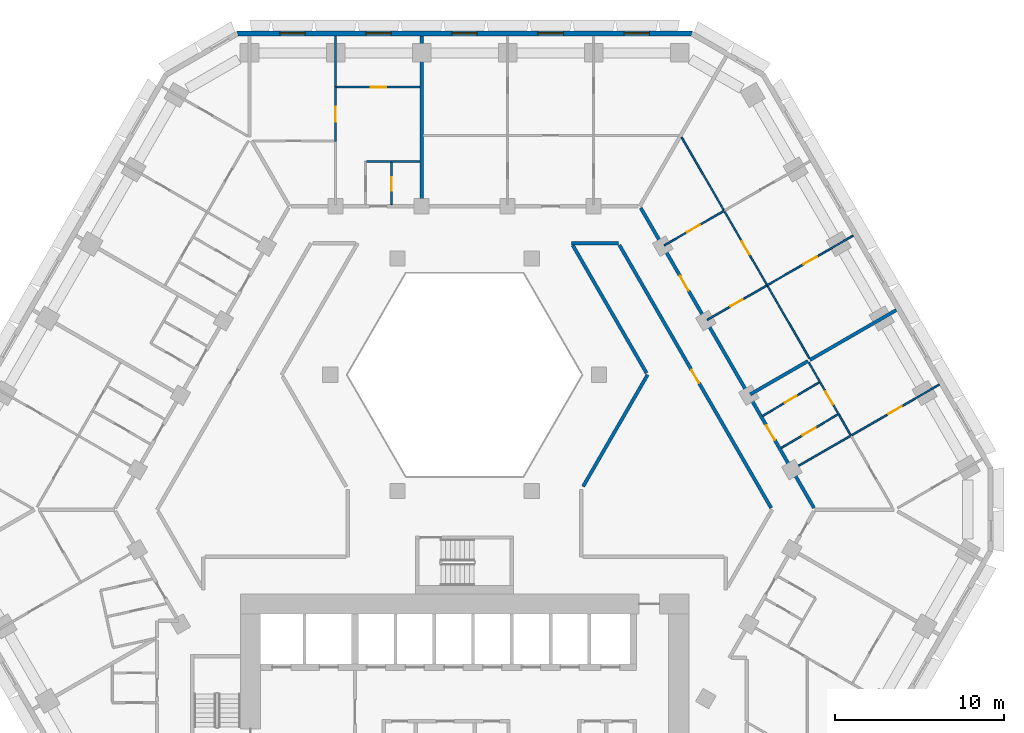
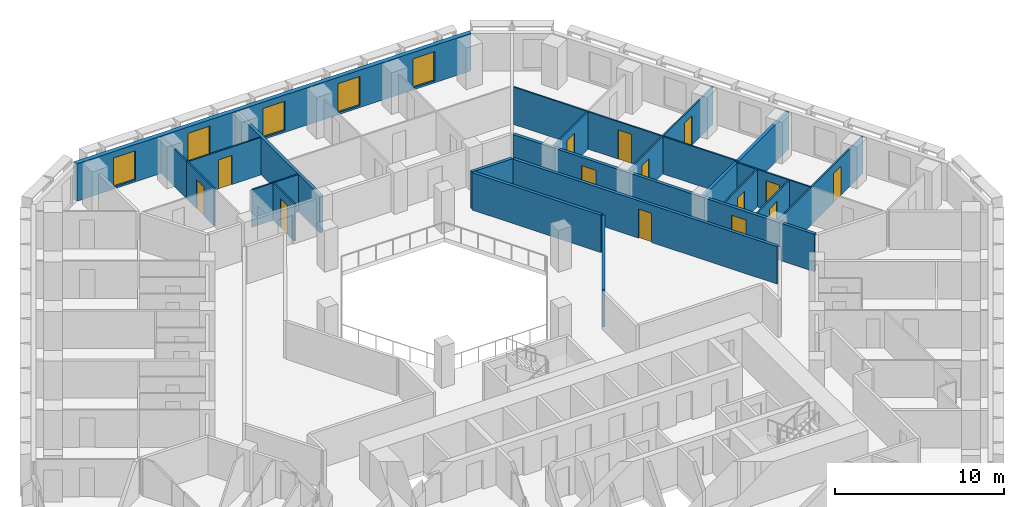
# One storey, part 9 of 16: 22 walls, 14 doors, 5 windows, 19 openings.
"""IFC4 building model written with IfcOpenShell, lengths in metres."""

from ifc_helpers import new_model, si_unit, direction, frame, frame_2d, origin, place, context, subcontext, project, spatial, polyline, rectangle, outline, extrude, material, layer, layer_set, type_object, element, fill, save


model = new_model("IFC4")

# Units and contexts
model_context = context("Model", 3, precision=1e-05, world=origin(), true_north=direction((0.0, 1.0)))
body_context = subcontext(model_context, "Body", "Model", "MODEL_VIEW")
ifc_project = project(units=[si_unit("LENGTHUNIT", "METRE"), si_unit("AREAUNIT", "SQUARE_METRE"), si_unit("VOLUMEUNIT", "CUBIC_METRE"), si_unit("PLANEANGLEUNIT", "RADIAN"), si_unit("MASSUNIT", "GRAM", prefix="KILO")], contexts=[model_context])

# Site, building, storey
site_placement = place(None, origin())
site = spatial("IfcSite", under=ifc_project, at=site_placement, CompositionType="ELEMENT")
building_placement = place(site_placement, origin())
building = spatial("IfcBuilding", under=site, at=building_placement, Name="Beryl Residences", CompositionType="ELEMENT")
storey_placement = place(building_placement, frame((0.0, 0.0, 56.39990234375)))
storey = spatial("IfcBuildingStorey", under=building, at=storey_placement, Name="L17", CompositionType="ELEMENT", Elevation=56.39990234375)

# Wall, openings, windows
ifc_material_1 = material(Name="Composite metal panel with mineral wool insulation")
ifc_layer_1 = layer(ifc_material_1, 0.300048828125)
ifc_layer_set_1 = layer_set([ifc_layer_1], Name="ES1 pale metal composite panel wall 300 mm")
wall_type_1 = type_object("IfcWallType", Name="ES1 pale metal composite panel wall 300 mm", PredefinedType="SOLIDWALL", material=ifc_layer_set_1)
wall_1_placement = place(storey_placement, frame((13.510009765625, 28.25, 0.0), z_axis=(0.0, 0.0, 1.0), x_axis=(-1.0, 0.0, 0.0)))
wall_1 = element("IfcWall", 1, at=wall_1_placement, inside=storey, type_object=wall_type_1, Name="ES1 external wall L17 N", PredefinedType="SOLIDWALL", context=body_context, shape_type="SweptSolid", body=[
    extrude(outline(polyline([(0.0, -0.14990234375), (27.02001953125, -0.14990234375), (26.939697265625, 0.14990234375), (0.080322265625, 0.14990234375), (0.0, -0.14990234375)])), origin(), (0.0, 0.0, 1.0), 2.7001953125),
])
opening_1_placement = place(wall_1_placement, frame((2.552978515625, 0.0, 0.14990234375)))
opening_1 = element("IfcOpeningElement", 2, at=opening_1_placement, cuts=wall_1, Name="Opening W1", PredefinedType="OPENING", context=body_context, shape_type="SweptSolid", body=[
    extrude(rectangle(XDim=1.5, YDim=2.10009765625, at=frame_2d((0.75, 1.050048828125))), frame((0.0, 0.159912109375, 0.0), z_axis=(0.0, -1.0, 0.0), x_axis=(1.0, 0.0, 0.0)), (0.0, 0.0, 1.0), 0.320068359375),
])
opening_2_placement = place(wall_1_placement, frame((7.656982421875, 0.0, 0.14990234375)))
opening_2 = element("IfcOpeningElement", 3, at=opening_2_placement, cuts=wall_1, Name="Opening W1", PredefinedType="OPENING", context=body_context, shape_type="SweptSolid", body=[
    extrude(rectangle(XDim=1.5, YDim=2.10009765625, at=frame_2d((0.75, 1.050048828125))), frame((0.0, 0.159912109375, 0.0), z_axis=(0.0, -1.0, 0.0), x_axis=(1.0, 0.0, 0.0)), (0.0, 0.0, 1.0), 0.320068359375),
])
opening_3_placement = place(wall_1_placement, frame((12.760986328125, 0.0, 0.14990234375)))
opening_3 = element("IfcOpeningElement", 4, at=opening_3_placement, cuts=wall_1, Name="Opening W1", PredefinedType="OPENING", context=body_context, shape_type="SweptSolid", body=[
    extrude(rectangle(XDim=1.5, YDim=2.10009765625, at=frame_2d((0.75, 1.050048828125))), frame((0.0, 0.159912109375, 0.0), z_axis=(0.0, -1.0, 0.0), x_axis=(1.0, 0.0, 0.0)), (0.0, 0.0, 1.0), 0.320068359375),
])
opening_4_placement = place(wall_1_placement, frame((17.864990234375, 0.0, 0.14990234375)))
opening_4 = element("IfcOpeningElement", 5, at=opening_4_placement, cuts=wall_1, Name="Opening W1", PredefinedType="OPENING", context=body_context, shape_type="SweptSolid", body=[
    extrude(rectangle(XDim=1.5, YDim=2.10009765625, at=frame_2d((0.75, 1.050048828125))), frame((0.0, 0.159912109375, 0.0), z_axis=(0.0, -1.0, 0.0), x_axis=(1.0, 0.0, 0.0)), (0.0, 0.0, 1.0), 0.320068359375),
])
opening_5_placement = place(wall_1_placement, frame((22.968994140625, 0.0, 0.14990234375)))
opening_5 = element("IfcOpeningElement", 6, at=opening_5_placement, cuts=wall_1, Name="Opening W1", PredefinedType="OPENING", context=body_context, shape_type="SweptSolid", body=[
    extrude(rectangle(XDim=1.5, YDim=2.10009765625, at=frame_2d((0.75, 1.050048828125))), frame((0.0, 0.159912109375, 0.0), z_axis=(0.0, -1.0, 0.0), x_axis=(1.0, 0.0, 0.0)), (0.0, 0.0, 1.0), 0.320068359375),
])
ifc_material_2 = material(Name="Aluminium and clear glass", Category="aluminium")
window_type = type_object("IfcWindowType", Name="W1 cell window 1500 x 2100 mm", PartitioningType="SINGLE_PANEL", PredefinedType="WINDOW", material=ifc_material_2)
window_1_placement = place(opening_1_placement, origin())
window_1 = element("IfcWindow", 7, at=window_1_placement, inside=storey, type_object=window_type, Name="W1 window L17 N 2", OverallHeight=2.10009765625, OverallWidth=1.5, PartitioningType="SINGLE_PANEL", PredefinedType="WINDOW", context=body_context, shape_type="SweptSolid", body=[
    extrude(rectangle(XDim=1.5, YDim=2.10009765625, at=frame_2d((0.75, 1.050048828125))), frame((0.0, 0.030029296875, 0.0), z_axis=(0.0, -1.0, 0.0), x_axis=(1.0, 0.0, 0.0)), (0.0, 0.0, 1.0), 0.06005859375),
])
fill(opening_1, window_1)
window_2_placement = place(opening_2_placement, origin())
window_2 = element("IfcWindow", 8, at=window_2_placement, inside=storey, type_object=window_type, Name="W1 window L17 N 4", OverallHeight=2.10009765625, OverallWidth=1.5, PartitioningType="SINGLE_PANEL", PredefinedType="WINDOW", context=body_context, shape_type="SweptSolid", body=[
    extrude(rectangle(XDim=1.5, YDim=2.10009765625, at=frame_2d((0.75, 1.050048828125))), frame((0.0, 0.030029296875, 0.0), z_axis=(0.0, -1.0, 0.0), x_axis=(1.0, 0.0, 0.0)), (0.0, 0.0, 1.0), 0.06005859375),
])
fill(opening_2, window_2)
window_3_placement = place(opening_3_placement, origin())
window_3 = element("IfcWindow", 9, at=window_3_placement, inside=storey, type_object=window_type, Name="W1 window L17 N 6", OverallHeight=2.10009765625, OverallWidth=1.5, PartitioningType="SINGLE_PANEL", PredefinedType="WINDOW", context=body_context, shape_type="SweptSolid", body=[
    extrude(rectangle(XDim=1.5, YDim=2.10009765625, at=frame_2d((0.75, 1.050048828125))), frame((0.0, 0.030029296875, 0.0), z_axis=(0.0, -1.0, 0.0), x_axis=(1.0, 0.0, 0.0)), (0.0, 0.0, 1.0), 0.06005859375),
])
fill(opening_3, window_3)
window_4_placement = place(opening_4_placement, origin())
window_4 = element("IfcWindow", 10, at=window_4_placement, inside=storey, type_object=window_type, Name="W1 window L17 N 8", OverallHeight=2.10009765625, OverallWidth=1.5, PartitioningType="SINGLE_PANEL", PredefinedType="WINDOW", context=body_context, shape_type="SweptSolid", body=[
    extrude(rectangle(XDim=1.5, YDim=2.10009765625, at=frame_2d((0.75, 1.050048828125))), frame((0.0, 0.030029296875, 0.0), z_axis=(0.0, -1.0, 0.0), x_axis=(1.0, 0.0, 0.0)), (0.0, 0.0, 1.0), 0.06005859375),
])
fill(opening_4, window_4)
window_5_placement = place(opening_5_placement, origin())
window_5 = element("IfcWindow", 11, at=window_5_placement, inside=storey, type_object=window_type, Name="W1 window L17 N 10", OverallHeight=2.10009765625, OverallWidth=1.5, PartitioningType="SINGLE_PANEL", PredefinedType="WINDOW", context=body_context, shape_type="SweptSolid", body=[
    extrude(rectangle(XDim=1.5, YDim=2.10009765625, at=frame_2d((0.75, 1.050048828125))), frame((0.0, 0.030029296875, 0.0), z_axis=(0.0, -1.0, 0.0), x_axis=(1.0, 0.0, 0.0)), (0.0, 0.0, 1.0), 0.06005859375),
])
fill(opening_5, window_5)

# Wall, opening, door
ifc_material_3 = material(Name="Gypsum board partition on steel studs", Category="steel")
ifc_layer_2 = layer(ifc_material_3, 0.10009765625)
ifc_layer_set_2 = layer_set([ifc_layer_2], Name="PT1 partition 100 mm gypsum board on steel studs")
wall_type_2 = type_object("IfcWallType", Name="PT1 partition 100 mm gypsum board on steel studs", PredefinedType="PARTITIONING", material=ifc_layer_set_2)
wall_2_placement = place(storey_placement, frame((20.4189453125, 8.72802734375, 0.0), z_axis=(0.0, 0.0, 1.0), x_axis=(0.499958946799, -0.866049104564, 0.0)))
wall_2 = element("IfcWall", 12, at=wall_2_placement, inside=storey, type_object=wall_type_2, Name="Wall PT1 L17 002", PredefinedType="PARTITIONING", context=body_context, shape_type="SweptSolid", body=[
    extrude(rectangle(XDim=5.00439453125, YDim=0.10009765625, at=frame_2d((2.502197265625, 0.0))), origin(), (0.0, 0.0, 1.0), 2.7001953125),
])
opening_6_placement = place(wall_2_placement, frame((1.97802734375, 0.0, 0.0)))
opening_6 = element("IfcOpeningElement", 13, at=opening_6_placement, cuts=wall_2, Name="Opening D0548", PredefinedType="OPENING", context=body_context, shape_type="SweptSolid", body=[
    extrude(rectangle(XDim=0.89990234375, YDim=2.10009765625, at=frame_2d((0.449951171875, 1.050048828125))), frame((0.0, 0.06005859375, 0.0), z_axis=(0.0, -1.0, 0.0), x_axis=(1.0, 0.0, 0.0)), (0.0, 0.0, 1.0), 0.1201171875),
])
ifc_material_4 = material(Name="Timber door leaf", Category="wood")
door_type_1 = type_object("IfcDoorType", Name="D2 room door 900 x 2100 mm", OperationType="SINGLE_SWING_LEFT", PredefinedType="DOOR", material=ifc_material_4)
door_1_placement = place(opening_6_placement, origin())
door_1 = element("IfcDoor", 14, at=door_1_placement, inside=storey, type_object=door_type_1, Name="Door D0548 L17 001", OperationType="SINGLE_SWING_RIGHT", OverallHeight=2.10009765625, OverallWidth=0.89990234375, PredefinedType="DOOR", context=body_context, shape_type="SweptSolid", body=[
    extrude(rectangle(XDim=0.89990234375, YDim=2.10009765625, at=frame_2d((0.449951171875, 1.050048828125))), frame((0.0, 0.02490234375, 0.0), z_axis=(0.0, -1.0, 0.0), x_axis=(1.0, 0.0, 0.0)), (0.0, 0.0, 1.0), 0.050048828125),
])
fill(opening_6, door_1)

wall_3_placement = place(storey_placement, frame((12.875, 22.10009765625, 0.0), z_axis=(0.0, 0.0, 1.0), x_axis=(0.499994897061, -0.866028349948, 0.0)))
wall_3 = element("IfcWall", 15, at=wall_3_placement, inside=storey, type_object=wall_type_2, Name="Wall PT1 L17 003", PredefinedType="PARTITIONING", context=body_context, shape_type="SweptSolid", body=[
    extrude(rectangle(XDim=15.152099609375, YDim=0.10009765625, at=frame_2d((7.576171875, 0.0))), origin(), (0.0, 0.0, 1.0), 2.7001953125),
])
opening_7_placement = place(wall_3_placement, frame((7.14599609375, 0.0, 0.0)))
opening_7 = element("IfcOpeningElement", 16, at=opening_7_placement, cuts=wall_3, Name="Opening D0553", PredefinedType="OPENING", context=body_context, shape_type="SweptSolid", body=[
    extrude(rectangle(XDim=0.89990234375, YDim=2.10009765625, at=frame_2d((0.449951171875, 1.050048828125))), frame((0.0, 0.06005859375, 0.0), z_axis=(0.0, -1.0, 0.0), x_axis=(1.0, 0.0, 0.0)), (0.0, 0.0, 1.0), 0.1201171875),
])
door_2_placement = place(opening_7_placement, origin())
door_2 = element("IfcDoor", 17, at=door_2_placement, inside=storey, type_object=door_type_1, Name="Door D0553 L17 001", OperationType="SINGLE_SWING_LEFT", OverallHeight=2.10009765625, OverallWidth=0.89990234375, PredefinedType="DOOR", context=body_context, shape_type="SweptSolid", body=[
    extrude(rectangle(XDim=0.89990234375, YDim=2.10009765625, at=frame_2d((0.449951171875, 1.050048828125))), frame((0.0, 0.02490234375, 0.0), z_axis=(0.0, -1.0, 0.0), x_axis=(1.0, 0.0, 0.0)), (0.0, 0.0, 1.0), 0.050048828125),
])
fill(opening_7, door_2)

# Walls
wall_4_placement = place(storey_placement, frame((-7.656982421875, 28.10009765625, 0.0), z_axis=(0.0, 0.0, 1.0), x_axis=(0.0, -1.0, 0.0)))
element("IfcWall", 18, at=wall_4_placement, inside=storey, type_object=wall_type_2, Name="Wall PT1 L17 005", PredefinedType="PARTITIONING", context=body_context, shape_type="SweptSolid", body=[
    extrude(rectangle(XDim=3.0, YDim=0.10009765625, at=frame_2d((1.5, 0.0))), origin(), (0.0, 0.0, 1.0), 2.7001953125),
])
wall_5_placement = place(storey_placement, frame((-5.820068359375, 20.659912109375, 0.0), z_axis=(0.0, 0.0, 1.0), x_axis=(1.0, 0.0, 0.0)))
element("IfcWall", 19, at=wall_5_placement, inside=storey, type_object=wall_type_2, Name="Wall PT1 L17 032", PredefinedType="PARTITIONING", context=body_context, shape_type="SweptSolid", body=[
    extrude(rectangle(XDim=3.1669921875, YDim=0.10009765625, at=frame_2d((1.58349609375, 0.0))), origin(), (0.0, 0.0, 1.0), 2.7001953125),
])

# Wall, opening, door
wall_6_placement = place(storey_placement, frame((-7.60693359375, 25.070068359375, 0.0), z_axis=(0.0, 0.0, 1.0), x_axis=(1.0, 0.0, 0.0)))
wall_6 = element("IfcWall", 20, at=wall_6_placement, inside=storey, type_object=wall_type_2, Name="Wall PT1 L17 035", PredefinedType="PARTITIONING", context=body_context, shape_type="SweptSolid", body=[
    extrude(rectangle(XDim=4.953857421875, YDim=0.10009765625, at=frame_2d((2.47705078125, 0.0))), origin(), (0.0, 0.0, 1.0), 2.7001953125),
])
opening_8_placement = place(wall_6_placement, frame((2.052001953125, 0.0, 0.0)))
opening_8 = element("IfcOpeningElement", 21, at=opening_8_placement, cuts=wall_6, Name="Opening D0567", PredefinedType="OPENING", context=body_context, shape_type="SweptSolid", body=[
    extrude(rectangle(XDim=0.89990234375, YDim=2.10009765625, at=frame_2d((0.449951171875, 1.050048828125))), frame((0.0, 0.06005859375, 0.0), z_axis=(0.0, -1.0, 0.0), x_axis=(1.0, 0.0, 0.0)), (0.0, 0.0, 1.0), 0.1201171875),
])
door_3_placement = place(opening_8_placement, origin())
door_3 = element("IfcDoor", 22, at=door_3_placement, inside=storey, type_object=door_type_1, Name="Door D0567 L17 001", OperationType="SINGLE_SWING_LEFT", OverallHeight=2.10009765625, OverallWidth=0.89990234375, PredefinedType="DOOR", context=body_context, shape_type="SweptSolid", body=[
    extrude(rectangle(XDim=0.89990234375, YDim=2.10009765625, at=frame_2d((0.449951171875, 1.050048828125))), frame((0.0, 0.02490234375, 0.0), z_axis=(0.0, -1.0, 0.0), x_axis=(1.0, 0.0, 0.0)), (0.0, 0.0, 1.0), 0.050048828125),
])
fill(opening_8, door_3)

wall_7_placement = place(storey_placement, frame((-4.339111328125, 18.10009765625, 0.0), z_axis=(0.0, 0.0, 1.0), x_axis=(0.0, 1.0, 0.0)))
wall_7 = element("IfcWall", 23, at=wall_7_placement, inside=storey, type_object=wall_type_2, Name="Wall PT1 L17 050", PredefinedType="PARTITIONING", context=body_context, shape_type="SweptSolid", body=[
    extrude(rectangle(XDim=2.510009765625, YDim=0.10009765625, at=frame_2d((1.2548828125, 0.0))), origin(), (0.0, 0.0, 1.0), 2.7001953125),
])
opening_9_placement = place(wall_7_placement, frame((0.830078125, 0.0, 0.0)))
opening_9 = element("IfcOpeningElement", 24, at=opening_9_placement, cuts=wall_7, Name="Opening D0566", PredefinedType="OPENING", context=body_context, shape_type="SweptSolid", body=[
    extrude(rectangle(XDim=0.800048828125, YDim=2.10009765625, at=frame_2d((0.39990234375, 1.050048828125))), frame((0.0, 0.06005859375, 0.0), z_axis=(0.0, -1.0, 0.0), x_axis=(1.0, 0.0, 0.0)), (0.0, 0.0, 1.0), 0.1201171875),
])
ifc_material_5 = material(Name="Timber door leaf", Category="wood")
door_type_2 = type_object("IfcDoorType", Name="D3 bathroom door 800 x 2100 mm", OperationType="SINGLE_SWING_LEFT", PredefinedType="DOOR", material=ifc_material_5)
door_4_placement = place(opening_9_placement, origin())
door_4 = element("IfcDoor", 25, at=door_4_placement, inside=storey, type_object=door_type_2, Name="Door D0566 L17 001", OperationType="SINGLE_SWING_RIGHT", OverallHeight=2.10009765625, OverallWidth=0.800048828125, PredefinedType="DOOR", context=body_context, shape_type="SweptSolid", body=[
    extrude(rectangle(XDim=0.800048828125, YDim=2.10009765625, at=frame_2d((0.39990234375, 1.050048828125))), frame((0.0, 0.02490234375, 0.0), z_axis=(0.0, -1.0, 0.0), x_axis=(1.0, 0.0, 0.0)), (0.0, 0.0, 1.0), 0.050048828125),
])
fill(opening_9, door_4)

wall_8_placement = place(storey_placement, frame((-7.656982421875, 21.85400390625, 0.0), z_axis=(0.0, 0.0, 1.0), x_axis=(0.0, 1.0, 0.0)))
wall_8 = element("IfcWall", 26, at=wall_8_placement, inside=storey, type_object=wall_type_2, Name="Wall PT1 L17 053", PredefinedType="PARTITIONING", context=body_context, shape_type="SweptSolid", body=[
    extrude(rectangle(XDim=3.216064453125, YDim=0.10009765625, at=frame_2d((1.60791015625, 0.0))), origin(), (0.0, 0.0, 1.0), 2.7001953125),
])
opening_10_placement = place(wall_8_placement, frame((1.157958984375, 0.0, 0.0)))
opening_10 = element("IfcOpeningElement", 27, at=opening_10_placement, cuts=wall_8, Name="Opening D0568", PredefinedType="OPENING", context=body_context, shape_type="SweptSolid", body=[
    extrude(rectangle(XDim=0.89990234375, YDim=2.10009765625, at=frame_2d((0.449951171875, 1.050048828125))), frame((0.0, 0.06005859375, 0.0), z_axis=(0.0, -1.0, 0.0), x_axis=(1.0, 0.0, 0.0)), (0.0, 0.0, 1.0), 0.1201171875),
])
door_5_placement = place(opening_10_placement, origin())
door_5 = element("IfcDoor", 28, at=door_5_placement, inside=storey, type_object=door_type_1, Name="Door D0568 L17 001", OperationType="SINGLE_SWING_RIGHT", OverallHeight=2.10009765625, OverallWidth=0.89990234375, PredefinedType="DOOR", context=body_context, shape_type="SweptSolid", body=[
    extrude(rectangle(XDim=0.89990234375, YDim=2.10009765625, at=frame_2d((0.449951171875, 1.050048828125))), frame((0.0, 0.02490234375, 0.0), z_axis=(0.0, -1.0, 0.0), x_axis=(1.0, 0.0, 0.0)), (0.0, 0.0, 1.0), 0.050048828125),
])
fill(opening_10, door_5)

wall_9_placement = place(storey_placement, frame((19.5029296875, 2.4208984375, 0.0), z_axis=(0.0, 0.0, 1.0), x_axis=(0.866065245018, 0.499930986609, 0.0)))
wall_9 = element("IfcWall", 29, at=wall_9_placement, inside=storey, type_object=wall_type_2, Name="Wall PT1 L17 060", PredefinedType="PARTITIONING", context=body_context, shape_type="SweptSolid", body=[
    extrude(rectangle(XDim=9.99951171875, YDim=0.10009765625, at=frame_2d((4.999755859375, 0.0))), origin(), (0.0, 0.0, 1.0), 2.7001953125),
])
opening_11_placement = place(wall_9_placement, frame((6.52294921875, 0.0, 0.0)))
opening_11 = element("IfcOpeningElement", 30, at=opening_11_placement, cuts=wall_9, Name="Opening D0549", PredefinedType="OPENING", context=body_context, shape_type="SweptSolid", body=[
    extrude(rectangle(XDim=0.89990234375, YDim=2.10009765625, at=frame_2d((0.449951171875, 1.050048828125))), frame((0.0, 0.06005859375, 0.0), z_axis=(0.0, -1.0, 0.0), x_axis=(1.0, 0.0, 0.0)), (0.0, 0.0, 1.0), 0.1201171875),
])
door_6_placement = place(opening_11_placement, origin())
door_6 = element("IfcDoor", 31, at=door_6_placement, inside=storey, type_object=door_type_1, Name="Door D0549 L17 001", OperationType="SINGLE_SWING_LEFT", OverallHeight=2.10009765625, OverallWidth=0.89990234375, PredefinedType="DOOR", context=body_context, shape_type="SweptSolid", body=[
    extrude(rectangle(XDim=0.89990234375, YDim=2.10009765625, at=frame_2d((0.449951171875, 1.050048828125))), frame((0.0, 0.02490234375, 0.0), z_axis=(0.0, -1.0, 0.0), x_axis=(1.0, 0.0, 0.0)), (0.0, 0.0, 1.0), 0.050048828125),
])
fill(opening_11, door_6)

wall_10_placement = place(storey_placement, frame((11.846923828125, 15.680908203125, 0.0), z_axis=(0.0, 0.0, 1.0), x_axis=(0.865980278416, 0.500078151287, 0.0)))
wall_10 = element("IfcWall", 32, at=wall_10_placement, inside=storey, type_object=wall_type_2, Name="Wall PT1 L17 064", PredefinedType="PARTITIONING", context=body_context, shape_type="SweptSolid", body=[
    extrude(rectangle(XDim=4.099365234375, YDim=0.10009765625, at=frame_2d((2.0498046875, 0.0))), origin(), (0.0, 0.0, 1.0), 2.7001953125),
])
opening_12_placement = place(wall_10_placement, frame((1.550048828125, 0.0, 0.0)))
opening_12 = element("IfcOpeningElement", 33, at=opening_12_placement, cuts=wall_10, Name="Opening D0555", PredefinedType="OPENING", context=body_context, shape_type="SweptSolid", body=[
    extrude(rectangle(XDim=0.89990234375, YDim=2.10009765625, at=frame_2d((0.449951171875, 1.050048828125))), frame((0.0, 0.06005859375, 0.0), z_axis=(0.0, -1.0, 0.0), x_axis=(1.0, 0.0, 0.0)), (0.0, 0.0, 1.0), 0.1201171875),
])
door_7_placement = place(opening_12_placement, origin())
door_7 = element("IfcDoor", 34, at=door_7_placement, inside=storey, type_object=door_type_1, Name="Door D0555 L17 001", OperationType="SINGLE_SWING_LEFT", OverallHeight=2.10009765625, OverallWidth=0.89990234375, PredefinedType="DOOR", context=body_context, shape_type="SweptSolid", body=[
    extrude(rectangle(XDim=0.89990234375, YDim=2.10009765625, at=frame_2d((0.449951171875, 1.050048828125))), frame((0.0, 0.02490234375, 0.0), z_axis=(0.0, -1.0, 0.0), x_axis=(1.0, 0.0, 0.0)), (0.0, 0.0, 1.0), 0.050048828125),
])
fill(opening_12, door_7)

wall_11_placement = place(storey_placement, frame((14.39892578125, 11.260986328125, 0.0), z_axis=(0.0, 0.0, 1.0), x_axis=(0.865980278416, 0.500078151287, 0.0)))
wall_11 = element("IfcWall", 35, at=wall_11_placement, inside=storey, type_object=wall_type_2, Name="Wall PT1 L17 065", PredefinedType="PARTITIONING", context=body_context, shape_type="SweptSolid", body=[
    extrude(rectangle(XDim=4.099365234375, YDim=0.10009765625, at=frame_2d((2.0498046875, 0.0))), origin(), (0.0, 0.0, 1.0), 2.7001953125),
])
opening_13_placement = place(wall_11_placement, frame((1.60009765625, 0.0, 0.0)))
opening_13 = element("IfcOpeningElement", 36, at=opening_13_placement, cuts=wall_11, Name="Opening D0554", PredefinedType="OPENING", context=body_context, shape_type="SweptSolid", body=[
    extrude(rectangle(XDim=0.800048828125, YDim=2.10009765625, at=frame_2d((0.39990234375, 1.050048828125))), frame((0.0, 0.06005859375, 0.0), z_axis=(0.0, -1.0, 0.0), x_axis=(1.0, 0.0, 0.0)), (0.0, 0.0, 1.0), 0.1201171875),
])
door_8_placement = place(opening_13_placement, origin())
door_8 = element("IfcDoor", 37, at=door_8_placement, inside=storey, type_object=door_type_2, Name="Door D0554 L17 001", OperationType="SINGLE_SWING_RIGHT", OverallHeight=2.10009765625, OverallWidth=0.800048828125, PredefinedType="DOOR", context=body_context, shape_type="SweptSolid", body=[
    extrude(rectangle(XDim=0.800048828125, YDim=2.10009765625, at=frame_2d((0.39990234375, 1.050048828125))), frame((0.0, 0.02490234375, 0.0), z_axis=(0.0, -1.0, 0.0), x_axis=(1.0, 0.0, 0.0)), (0.0, 0.0, 1.0), 0.050048828125),
])
fill(opening_13, door_8)

wall_12_placement = place(storey_placement, frame((17.68798828125, 5.56396484375, 0.0), z_axis=(0.0, 0.0, 1.0), x_axis=(0.860107296662, 0.510113162179, 0.0)))
wall_12 = element("IfcWall", 38, at=wall_12_placement, inside=storey, type_object=wall_type_2, Name="Wall PT1 L17 066", PredefinedType="PARTITIONING", context=body_context, shape_type="SweptSolid", body=[
    extrude(rectangle(XDim=3.897216796875, YDim=0.10009765625, at=frame_2d((1.94873046875, 0.0))), origin(), (0.0, 0.0, 1.0), 2.7001953125),
])
opening_14_placement = place(wall_12_placement, frame((1.52392578125, 0.0, 0.0)))
opening_14 = element("IfcOpeningElement", 39, at=opening_14_placement, cuts=wall_12, Name="Opening D0547", PredefinedType="OPENING", context=body_context, shape_type="SweptSolid", body=[
    extrude(rectangle(XDim=0.800048828125, YDim=2.10009765625, at=frame_2d((0.39990234375, 1.050048828125))), frame((0.0, 0.06005859375, 0.0), z_axis=(0.0, -1.0, 0.0), x_axis=(1.0, 0.0, 0.0)), (0.0, 0.0, 1.0), 0.1201171875),
])
door_9_placement = place(opening_14_placement, origin())
door_9 = element("IfcDoor", 40, at=door_9_placement, inside=storey, type_object=door_type_2, Name="Door D0547 L17 001", OperationType="SINGLE_SWING_LEFT", OverallHeight=2.10009765625, OverallWidth=0.800048828125, PredefinedType="DOOR", context=body_context, shape_type="SweptSolid", body=[
    extrude(rectangle(XDim=0.800048828125, YDim=2.10009765625, at=frame_2d((0.39990234375, 1.050048828125))), frame((0.0, 0.02490234375, 0.0), z_axis=(0.0, -1.0, 0.0), x_axis=(1.0, 0.0, 0.0)), (0.0, 0.0, 1.0), 0.050048828125),
])
fill(opening_14, door_9)

wall_13_placement = place(storey_placement, frame((18.7880859375, 3.658935546875, 0.0), z_axis=(0.0, 0.0, 1.0), x_axis=(0.860090994311, 0.510140648749, 0.0)))
wall_13 = element("IfcWall", 41, at=wall_13_placement, inside=storey, type_object=wall_type_2, Name="Wall PT1 L17 067", PredefinedType="PARTITIONING", context=body_context, shape_type="SweptSolid", body=[
    extrude(rectangle(XDim=3.89697265625, YDim=0.10009765625, at=frame_2d((1.948486328125, 0.0))), origin(), (0.0, 0.0, 1.0), 2.7001953125),
])
opening_15_placement = place(wall_13_placement, frame((1.47412109375, 0.0, 0.0)))
opening_15 = element("IfcOpeningElement", 42, at=opening_15_placement, cuts=wall_13, Name="Opening D0546", PredefinedType="OPENING", context=body_context, shape_type="SweptSolid", body=[
    extrude(rectangle(XDim=0.89990234375, YDim=2.10009765625, at=frame_2d((0.449951171875, 1.050048828125))), frame((0.0, 0.06005859375, 0.0), z_axis=(0.0, -1.0, 0.0), x_axis=(1.0, 0.0, 0.0)), (0.0, 0.0, 1.0), 0.1201171875),
])
door_10_placement = place(opening_15_placement, origin())
door_10 = element("IfcDoor", 43, at=door_10_placement, inside=storey, type_object=door_type_1, Name="Door D0546 L17 001", OperationType="SINGLE_SWING_RIGHT", OverallHeight=2.10009765625, OverallWidth=0.89990234375, PredefinedType="DOOR", context=body_context, shape_type="SweptSolid", body=[
    extrude(rectangle(XDim=0.89990234375, YDim=2.10009765625, at=frame_2d((0.449951171875, 1.050048828125))), frame((0.0, 0.02490234375, 0.0), z_axis=(0.0, -1.0, 0.0), x_axis=(1.0, 0.0, 0.0)), (0.0, 0.0, 1.0), 0.050048828125),
])
fill(opening_15, door_10)

wall_14_placement = place(storey_placement, frame((17.948974609375, 13.31103515625, 0.0), z_axis=(0.0, 0.0, 1.0), x_axis=(0.866052608538, 0.499952877023, 0.0)))
wall_14 = element("IfcWall", 44, at=wall_14_placement, inside=storey, type_object=wall_type_2, Name="Wall PT1 L17 070", PredefinedType="PARTITIONING", context=body_context, shape_type="SweptSolid", body=[
    extrude(rectangle(XDim=5.900390625, YDim=0.10009765625, at=frame_2d((2.9501953125, 0.0))), origin(), (0.0, 0.0, 1.0), 2.7001953125),
])
opening_16_placement = place(wall_14_placement, frame((2.5, 0.0, 0.0)))
opening_16 = element("IfcOpeningElement", 45, at=opening_16_placement, cuts=wall_14, Name="Opening D0556", PredefinedType="OPENING", context=body_context, shape_type="SweptSolid", body=[
    extrude(rectangle(XDim=0.89990234375, YDim=2.10009765625, at=frame_2d((0.449951171875, 1.050048828125))), frame((0.0, 0.06005859375, 0.0), z_axis=(0.0, -1.0, 0.0), x_axis=(1.0, 0.0, 0.0)), (0.0, 0.0, 1.0), 0.1201171875),
])
door_11_placement = place(opening_16_placement, origin())
door_11 = element("IfcDoor", 46, at=door_11_placement, inside=storey, type_object=door_type_1, Name="Door D0556 L17 001", OperationType="SINGLE_SWING_RIGHT", OverallHeight=2.10009765625, OverallWidth=0.89990234375, PredefinedType="DOOR", context=body_context, shape_type="SweptSolid", body=[
    extrude(rectangle(XDim=0.89990234375, YDim=2.10009765625, at=frame_2d((0.449951171875, 1.050048828125))), frame((0.0, 0.02490234375, 0.0), z_axis=(0.0, -1.0, 0.0), x_axis=(1.0, 0.0, 0.0)), (0.0, 0.0, 1.0), 0.050048828125),
])
fill(opening_16, door_11)

# Walls
ifc_material_6 = material(Name="Acoustic double stud gypsum board wall")
ifc_layer_3 = layer(ifc_material_6, 0.199951171875)
ifc_layer_set_3 = layer_set([ifc_layer_3], Name="PT3 party wall 200 mm acoustic double stud")
wall_type_3 = type_object("IfcWallType", Name="PT3 party wall 200 mm acoustic double stud", PredefinedType="PARTITIONING", material=ifc_layer_set_3)
wall_15_placement = place(storey_placement, frame((-2.552978515625, 18.10009765625, 0.0), z_axis=(0.0, 0.0, 1.0), x_axis=(0.0, 1.0, 0.0)))
element("IfcWall", 47, at=wall_15_placement, inside=storey, type_object=wall_type_3, Name="Wall PT3 L17 016", PredefinedType="PARTITIONING", context=body_context, shape_type="SweptSolid", body=[
    extrude(rectangle(XDim=10.0, YDim=0.199951171875, at=frame_2d((5.0, 0.0))), origin(), (0.0, 0.0, 1.0), 2.7001953125),
])
wall_16_placement = place(storey_placement, frame((16.949951171875, 6.841064453125, 0.0), z_axis=(0.0, 0.0, 1.0), x_axis=(0.866031112038, 0.499990112884, 0.0)))
element("IfcWall", 48, at=wall_16_placement, inside=storey, type_object=wall_type_3, Name="Wall PT3 L17 019", PredefinedType="PARTITIONING", context=body_context, shape_type="SweptSolid", body=[
    extrude(rectangle(XDim=3.94775390625, YDim=0.199951171875, at=frame_2d((1.973876953125, 0.0))), origin(), (0.0, 0.0, 1.0), 2.7001953125),
])
wall_17_placement = place(storey_placement, frame((20.48388671875, 8.881103515625, 0.0), z_axis=(0.0, 0.0, 1.0), x_axis=(0.866000821391, 0.500042575537, 0.0)))
element("IfcWall", 49, at=wall_17_placement, inside=storey, type_object=wall_type_3, Name="Wall PT3 L17 020", PredefinedType="PARTITIONING", context=body_context, shape_type="SweptSolid", body=[
    extrude(rectangle(XDim=5.91943359375, YDim=0.199951171875, at=frame_2d((2.959716796875, 0.0))), origin(), (0.0, 0.0, 1.0), 2.7001953125),
])
ifc_material_7 = material(Name="Double stud gypsum board wall")
ifc_layer_4 = layer(ifc_material_7, 0.199951171875)
ifc_layer_set_4 = layer_set([ifc_layer_4], Name="PT4 corridor wall 200 mm double stud")
wall_type_4 = type_object("IfcWallType", Name="PT4 corridor wall 200 mm double stud", PredefinedType="PARTITIONING", material=ifc_layer_set_4)
wall_18_placement = place(storey_placement, frame((6.408935546875, 15.699951171875, 0.0), z_axis=(0.0, 0.0, 1.0), x_axis=(0.499930377127, -0.866065596838, 0.0)))
element("IfcWall", 50, at=wall_18_placement, inside=storey, type_object=wall_type_4, Name="Wall PT4 L17 004", PredefinedType="PARTITIONING", context=body_context, shape_type="SweptSolid", body=[
    extrude(rectangle(XDim=8.775146484375, YDim=0.199951171875, at=frame_2d((4.3876953125, 0.0))), origin(), (0.0, 0.0, 1.0), 2.7001953125),
])

# Wall, opening, door
wall_19_placement = place(storey_placement, frame((9.179931640625, 15.699951171875, 0.0), z_axis=(0.0, 0.0, 1.0), x_axis=(0.500003652032, -0.866023295272, 0.0)))
wall_19 = element("IfcWall", 51, at=wall_19_placement, inside=storey, type_object=wall_type_4, Name="Wall PT4 L17 005", PredefinedType="PARTITIONING", context=body_context, shape_type="SweptSolid", body=[
    extrude(rectangle(XDim=18.011962890625, YDim=0.199951171875, at=frame_2d((9.005859375, 0.0))), origin(), (0.0, 0.0, 1.0), 2.7001953125),
])
opening_17_placement = place(wall_19_placement, frame((8.555908203125, 0.0, 0.0)))
opening_17 = element("IfcOpeningElement", 52, at=opening_17_placement, cuts=wall_19, Name="Opening D0578", PredefinedType="OPENING", context=body_context, shape_type="SweptSolid", body=[
    extrude(rectangle(XDim=0.89990234375, YDim=2.10009765625, at=frame_2d((0.449951171875, 1.050048828125))), frame((0.0, 0.10986328125, 0.0), z_axis=(0.0, -1.0, 0.0), x_axis=(1.0, 0.0, 0.0)), (0.0, 0.0, 1.0), 0.219970703125),
])
door_12_placement = place(opening_17_placement, origin())
door_12 = element("IfcDoor", 53, at=door_12_placement, inside=storey, type_object=door_type_1, Name="Door D0578 L17 001", OperationType="SINGLE_SWING_RIGHT", OverallHeight=2.10009765625, OverallWidth=0.89990234375, PredefinedType="DOOR", context=body_context, shape_type="SweptSolid", body=[
    extrude(rectangle(XDim=0.89990234375, YDim=2.10009765625, at=frame_2d((0.449951171875, 1.050048828125))), frame((0.0, 0.02490234375, 0.0), z_axis=(0.0, -1.0, 0.0), x_axis=(1.0, 0.0, 0.0)), (0.0, 0.0, 1.0), 0.050048828125),
])
fill(opening_17, door_12)

# Wall, openings, doors
wall_20_placement = place(storey_placement, frame((10.449951171875, 17.89990234375, 0.0), z_axis=(0.0, 0.0, 1.0), x_axis=(0.500034352617, -0.866005569383, 0.0)))
wall_20 = element("IfcWall", 54, at=wall_20_placement, inside=storey, type_object=wall_type_4, Name="Wall PT4 L17 006", PredefinedType="PARTITIONING", context=body_context, shape_type="SweptSolid", body=[
    extrude(rectangle(XDim=20.552734375, YDim=0.199951171875, at=frame_2d((10.2763671875, 0.0))), origin(), (0.0, 0.0, 1.0), 2.7001953125),
])
opening_18_placement = place(wall_20_placement, frame((14.902099609375, 0.0, 0.0)))
opening_18 = element("IfcOpeningElement", 55, at=opening_18_placement, cuts=wall_20, Name="Opening D0545", PredefinedType="OPENING", context=body_context, shape_type="SweptSolid", body=[
    extrude(rectangle(XDim=1.0, YDim=2.10009765625, at=frame_2d((0.5, 1.050048828125))), frame((0.0, 0.10986328125, 0.0), z_axis=(0.0, -1.0, 0.0), x_axis=(1.0, 0.0, 0.0)), (0.0, 0.0, 1.0), 0.219970703125),
])
opening_19_placement = place(wall_20_placement, frame((4.6708984375, 0.0, 0.0)))
opening_19 = element("IfcOpeningElement", 56, at=opening_19_placement, cuts=wall_20, Name="Opening D0552", PredefinedType="OPENING", context=body_context, shape_type="SweptSolid", body=[
    extrude(rectangle(XDim=1.0, YDim=2.10009765625, at=frame_2d((0.5, 1.050048828125))), frame((0.0, 0.10986328125, 0.0), z_axis=(0.0, -1.0, 0.0), x_axis=(1.0, 0.0, 0.0)), (0.0, 0.0, 1.0), 0.219970703125),
])
ifc_material_8 = material(Name="Timber door leaf", Category="wood")
door_type_3 = type_object("IfcDoorType", Name="D1 flat entrance door 1000 x 2100 mm", OperationType="SINGLE_SWING_LEFT", PredefinedType="DOOR", material=ifc_material_8)
door_13_placement = place(opening_18_placement, origin())
door_13 = element("IfcDoor", 57, at=door_13_placement, inside=storey, type_object=door_type_3, Name="Door D0545 L17 001", OperationType="SINGLE_SWING_LEFT", OverallHeight=2.10009765625, OverallWidth=1.0, PredefinedType="DOOR", context=body_context, shape_type="SweptSolid", body=[
    extrude(rectangle(XDim=1.0, YDim=2.10009765625, at=frame_2d((0.5, 1.050048828125))), frame((0.0, 0.02490234375, 0.0), z_axis=(0.0, -1.0, 0.0), x_axis=(1.0, 0.0, 0.0)), (0.0, 0.0, 1.0), 0.050048828125),
])
fill(opening_18, door_13)
door_14_placement = place(opening_19_placement, origin())
door_14 = element("IfcDoor", 58, at=door_14_placement, inside=storey, type_object=door_type_3, Name="Door D0552 L17 001", OperationType="SINGLE_SWING_RIGHT", OverallHeight=2.10009765625, OverallWidth=1.0, PredefinedType="DOOR", context=body_context, shape_type="SweptSolid", body=[
    extrude(rectangle(XDim=1.0, YDim=2.10009765625, at=frame_2d((0.5, 1.050048828125))), frame((0.0, 0.02490234375, 0.0), z_axis=(0.0, -1.0, 0.0), x_axis=(1.0, 0.0, 0.0)), (0.0, 0.0, 1.0), 0.050048828125),
])
fill(opening_19, door_14)

# Walls
wall_21_placement = place(storey_placement, frame((6.35107421875, 15.800048828125, 0.0), z_axis=(0.0, 0.0, 1.0), x_axis=(1.0, 0.0, 0.0)))
element("IfcWall", 59, at=wall_21_placement, inside=storey, type_object=wall_type_4, Name="Wall PT4 L17 018", PredefinedType="PARTITIONING", context=body_context, shape_type="SweptSolid", body=[
    extrude(rectangle(XDim=2.77099609375, YDim=0.199951171875, at=frame_2d((1.385498046875, 0.0))), origin(), (0.0, 0.0, 1.0), 2.7001953125),
])
wall_22_placement = place(storey_placement, frame((7.028076171875, 1.373046875, 0.0), z_axis=(0.0, 0.0, 1.0), x_axis=(0.49998574534, 0.86603363356, 0.0)))
element("IfcWall", 60, at=wall_22_placement, inside=storey, type_object=wall_type_4, Name="Wall PT4 L17 020", PredefinedType="PARTITIONING", context=body_context, shape_type="SweptSolid", body=[
    extrude(rectangle(XDim=7.652099609375, YDim=0.199951171875, at=frame_2d((3.826171875, 0.0))), origin(), (0.0, 0.0, 1.0), 2.7001953125),
])

save(model, "model.ifc")
